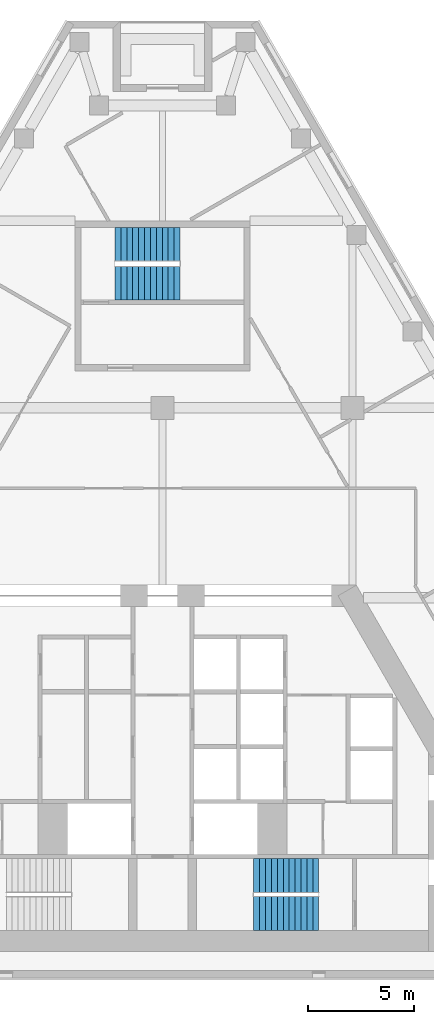
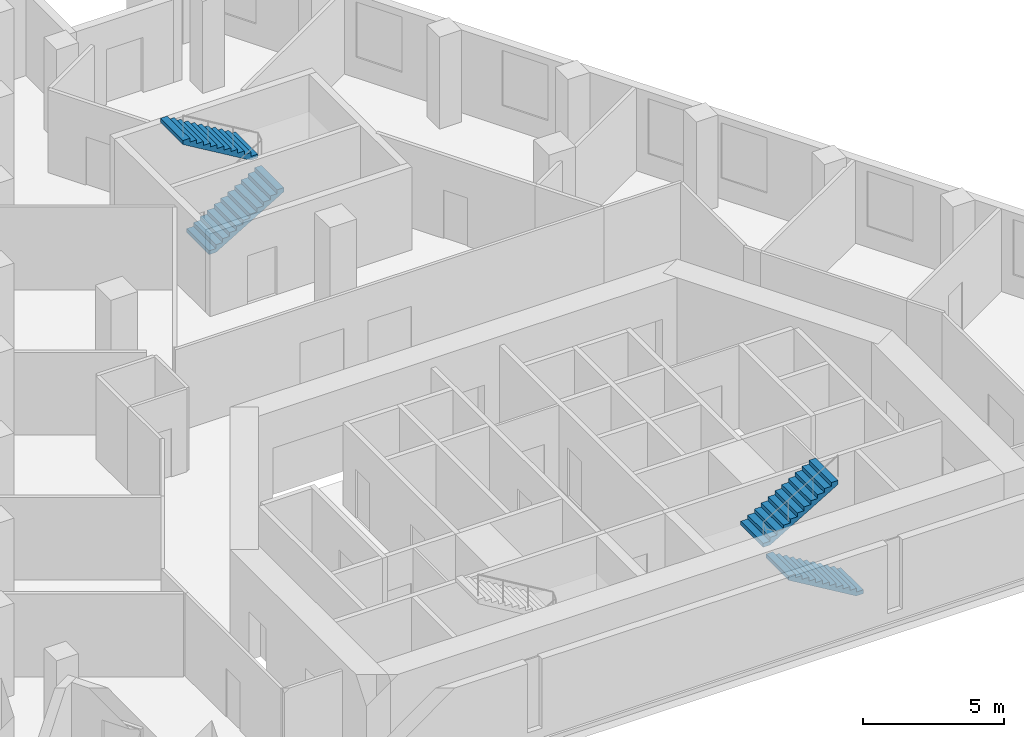
# One storey, part 6 of 7: 4 stair flights, 2 elements without a shape of their own.
"""IFC4 building model written with IfcOpenShell, lengths in metres."""

from ifc_helpers import new_model, si_unit, direction, frame, origin, place, context, subcontext, project, spatial, polyline, outline, extrude, material, type_object, element, aggregate, save


model = new_model("IFC4")

# Units and contexts
model_context = context("Model", 3, precision=1e-05, world=origin(), true_north=direction((0.0, 1.0)))
body_context = subcontext(model_context, "Body", "Model", "MODEL_VIEW")
ifc_project = project(units=[si_unit("LENGTHUNIT", "METRE"), si_unit("AREAUNIT", "SQUARE_METRE"), si_unit("VOLUMEUNIT", "CUBIC_METRE"), si_unit("PLANEANGLEUNIT", "RADIAN"), si_unit("MASSUNIT", "GRAM", prefix="KILO")], contexts=[model_context])

# Site, building, storey
site_placement = place(None, origin())
site = spatial("IfcSite", under=ifc_project, at=site_placement, CompositionType="ELEMENT")
building_placement = place(site_placement, origin())
building = spatial("IfcBuilding", under=site, at=building_placement, Name="Fogline Exchange Tower", CompositionType="ELEMENT")
storey_placement = place(building_placement, frame((0.0, 0.0, 255.5)))
storey = spatial("IfcBuildingStorey", under=building, at=storey_placement, Name="L58", CompositionType="ELEMENT", Elevation=255.5)

# Stair, stair flights
ifc_material = material(Name="Concrete C40", Category="concrete")
stair_type = type_object("IfcStairType", Name="STR24-1667", PredefinedType="HALF_TURN_STAIR", material=ifc_material)
stair_1_placement = place(storey_placement, origin())
stair_1 = element("IfcStair", 1, at=stair_1_placement, inside=storey, type_object=stair_type, Name="Stair ST2", PredefinedType="HALF_TURN_STAIR")
stair_flight_type = type_object("IfcStairFlightType", Name="SF12-1667", PredefinedType="STRAIGHT", material=ifc_material)
stair_flight_1_placement = place(storey_placement, frame((7.39990234375, 3.050048828125, 0.0), z_axis=(0.0, 0.0, 1.0), x_axis=(-1.0, 0.0, 0.0)))
stair_flight_1 = element("IfcStairFlight", 2, at=stair_flight_1_placement, type_object=stair_flight_type, Name="ST2 flight 1", NumberOfRisers=12, NumberOfTreads=11, PredefinedType="STRAIGHT", RiserHeight=0.166666667, TreadLength=0.28, context=body_context, shape_type="SweptSolid", body=[
    extrude(outline(polyline([(0.0, 0.0), (0.0, 0.166748046875), (0.280029296875, 0.166748046875), (0.280029296875, 0.333251953125), (0.56005859375, 0.333251953125), (0.56005859375, 0.5), (0.840087890625, 0.5), (0.840087890625, 0.666748046875), (1.1201171875, 0.666748046875), (1.1201171875, 0.833251953125), (1.39990234375, 0.833251953125), (1.39990234375, 1.0), (1.679931640625, 1.0), (1.679931640625, 1.166748046875), (1.9599609375, 1.166748046875), (1.9599609375, 1.333251953125), (2.239990234375, 1.333251953125), (2.239990234375, 1.5), (2.52001953125, 1.5), (2.52001953125, 1.666748046875), (2.800048828125, 1.666748046875), (2.800048828125, 1.833251953125), (3.080078125, 1.833251953125), (3.080078125, 2.0), (3.080078125, 1.658935546875), (0.29296875, 0.0), (0.0, 0.0)])), frame((0.0, 0.800048828125, 0.0), z_axis=(0.0, -1.0, 0.0), x_axis=(1.0, 0.0, 0.0)), (0.0, 0.0, 1.0), 1.60009765625),
])
stair_flight_2_placement = place(storey_placement, frame((4.320068359375, 4.85009765625, 2.0), z_axis=(0.0, 0.0, 1.0), x_axis=(1.0, 0.0, 0.0)))
stair_flight_2 = element("IfcStairFlight", 3, at=stair_flight_2_placement, type_object=stair_flight_type, Name="ST2 flight 2", NumberOfRisers=12, NumberOfTreads=11, PredefinedType="STRAIGHT", RiserHeight=0.166666667, TreadLength=0.28, context=body_context, shape_type="SweptSolid", body=[
    extrude(outline(polyline([(0.0, 0.0), (0.0, 0.166748046875), (0.280029296875, 0.166748046875), (0.280029296875, 0.333251953125), (0.56005859375, 0.333251953125), (0.56005859375, 0.5), (0.840087890625, 0.5), (0.840087890625, 0.666748046875), (1.1201171875, 0.666748046875), (1.1201171875, 0.833251953125), (1.39990234375, 0.833251953125), (1.39990234375, 1.0), (1.679931640625, 1.0), (1.679931640625, 1.166748046875), (1.9599609375, 1.166748046875), (1.9599609375, 1.333251953125), (2.239990234375, 1.333251953125), (2.239990234375, 1.5), (2.52001953125, 1.5), (2.52001953125, 1.666748046875), (2.800048828125, 1.666748046875), (2.800048828125, 1.833251953125), (3.080078125, 1.833251953125), (3.080078125, 2.0), (3.080078125, 1.658935546875), (0.29296875, 0.0), (0.0, 0.0)])), frame((0.0, 0.800048828125, 0.0), z_axis=(0.0, -1.0, 0.0), x_axis=(1.0, 0.0, 0.0)), (0.0, 0.0, 1.0), 1.60009765625),
])
aggregate(stair_1, [stair_flight_1, stair_flight_2])

stair_2_placement = place(storey_placement, origin())
stair_2 = element("IfcStair", 4, at=stair_2_placement, inside=storey, type_object=stair_type, Name="Stair ST3", PredefinedType="HALF_TURN_STAIR")
stair_flight_3_placement = place(storey_placement, frame((-2.25, 32.906982421875, 0.0), z_axis=(0.0, 0.0, 1.0), x_axis=(1.0, 0.0, 0.0)))
stair_flight_3 = element("IfcStairFlight", 5, at=stair_flight_3_placement, type_object=stair_flight_type, Name="ST3 flight 1", NumberOfRisers=12, NumberOfTreads=11, PredefinedType="STRAIGHT", RiserHeight=0.166666667, TreadLength=0.28, context=body_context, shape_type="SweptSolid", body=[
    extrude(outline(polyline([(0.0, 0.0), (0.0, 0.166748046875), (0.280029296875, 0.166748046875), (0.280029296875, 0.333251953125), (0.56005859375, 0.333251953125), (0.56005859375, 0.5), (0.840087890625, 0.5), (0.840087890625, 0.666748046875), (1.1201171875, 0.666748046875), (1.1201171875, 0.833251953125), (1.39990234375, 0.833251953125), (1.39990234375, 1.0), (1.679931640625, 1.0), (1.679931640625, 1.166748046875), (1.9599609375, 1.166748046875), (1.9599609375, 1.333251953125), (2.239990234375, 1.333251953125), (2.239990234375, 1.5), (2.52001953125, 1.5), (2.52001953125, 1.666748046875), (2.800048828125, 1.666748046875), (2.800048828125, 1.833251953125), (3.080078125, 1.833251953125), (3.080078125, 2.0), (3.080078125, 1.658935546875), (0.29296875, 0.0), (0.0, 0.0)])), frame((0.0, 0.800048828125, 0.0), z_axis=(0.0, -1.0, 0.0), x_axis=(1.0, 0.0, 0.0)), (0.0, 0.0, 1.0), 1.60009765625),
])
stair_flight_4_placement = place(storey_placement, frame((0.830078125, 34.757080078125, 2.0), z_axis=(0.0, 0.0, 1.0), x_axis=(-1.0, 0.0, 0.0)))
stair_flight_4 = element("IfcStairFlight", 6, at=stair_flight_4_placement, type_object=stair_flight_type, Name="ST3 flight 2", NumberOfRisers=12, NumberOfTreads=11, PredefinedType="STRAIGHT", RiserHeight=0.166666667, TreadLength=0.28, context=body_context, shape_type="SweptSolid", body=[
    extrude(outline(polyline([(0.0, 0.0), (0.0, 0.166748046875), (0.280029296875, 0.166748046875), (0.280029296875, 0.333251953125), (0.56005859375, 0.333251953125), (0.56005859375, 0.5), (0.840087890625, 0.5), (0.840087890625, 0.666748046875), (1.1201171875, 0.666748046875), (1.1201171875, 0.833251953125), (1.39990234375, 0.833251953125), (1.39990234375, 1.0), (1.679931640625, 1.0), (1.679931640625, 1.166748046875), (1.9599609375, 1.166748046875), (1.9599609375, 1.333251953125), (2.239990234375, 1.333251953125), (2.239990234375, 1.5), (2.52001953125, 1.5), (2.52001953125, 1.666748046875), (2.800048828125, 1.666748046875), (2.800048828125, 1.833251953125), (3.080078125, 1.833251953125), (3.080078125, 2.0), (3.080078125, 1.658935546875), (0.29296875, 0.0), (0.0, 0.0)])), frame((0.0, 0.800048828125, 0.0), z_axis=(0.0, -1.0, 0.0), x_axis=(1.0, 0.0, 0.0)), (0.0, 0.0, 1.0), 1.60009765625),
])
aggregate(stair_2, [stair_flight_3, stair_flight_4])

save(model, "model.ifc")
